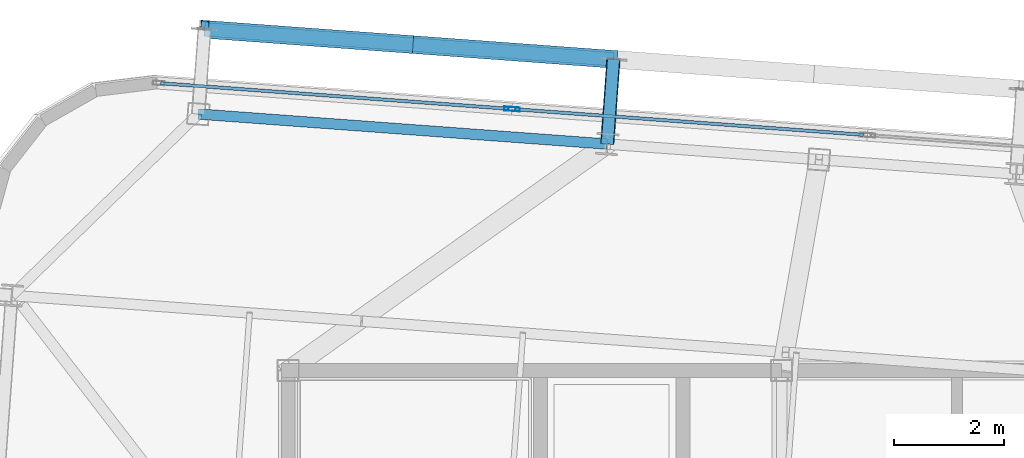
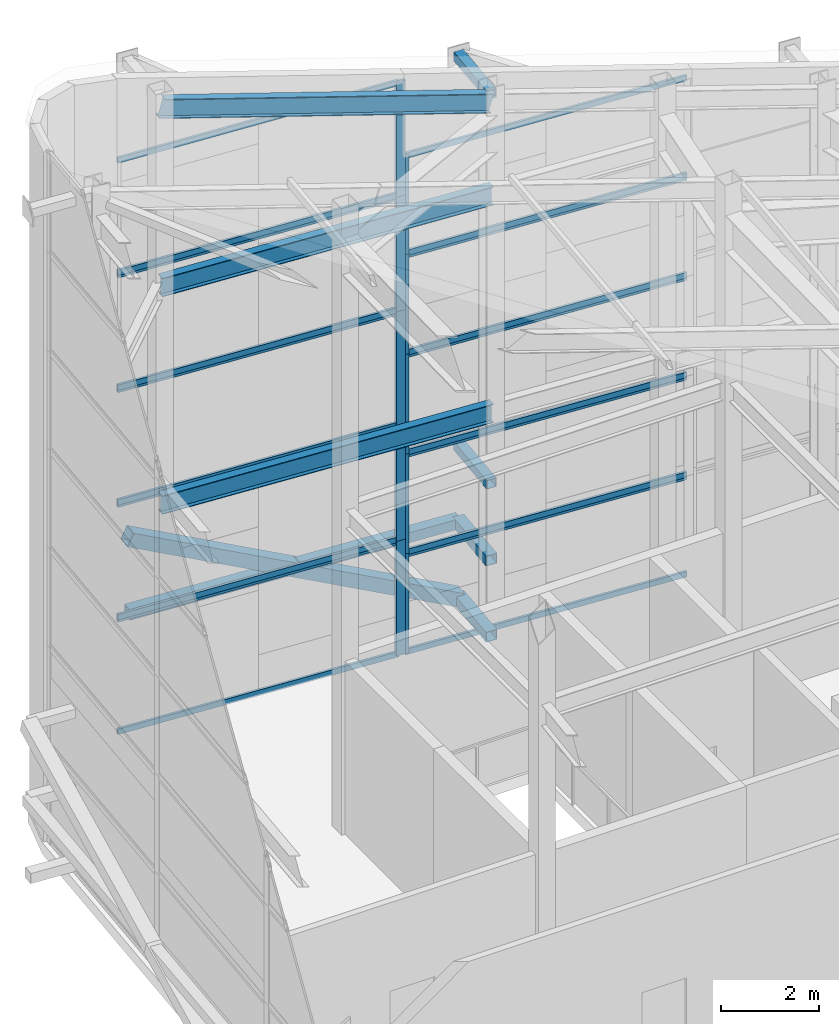
# One storey, part 27 of 56: 37 members, 3 beams, 10 elements without a shape of their own.
"""IFC4 building model written with IfcOpenShell, lengths in metres."""

import ifcopenshell
import ifcopenshell.guid

model = None  # the IFC model being written
_history = None  # IfcOwnerHistory: only IFC2X3 demands one
_inside = {}  # id of a spatial element -> (the spatial element, [elements in it])
_under = {}  # id of a project, library or spatial element -> (it, [spatial elements below it])
_declared = {}  # id of a project -> (the project, [libraries it declares])
_typed = {}  # id of a type object -> (the type object, [elements of that type])
_made_of = {}  # id of a material, layer set ... -> (it, [elements and type objects made of it])


def new_model(schema):
    """Start an empty IFC model of exactly this schema.

    Asked for "IFC4X3", IfcOpenShell would pick the latest addendum, in which some entities
    have other attributes; the version numbers below select the first issue.
    IFC2X3 requires an IfcOwnerHistory on every rooted entity: one is made here for all.
    """
    global model, _history
    if schema == "IFC4X3":
        model = ifcopenshell.file(schema_version=(4, 3, 0, 0))
    else:
        model = ifcopenshell.file(schema=schema)
    _inside.clear()
    _under.clear()
    _declared.clear()
    _typed.clear()
    _made_of.clear()
    _history = None
    if model.schema == "IFC2X3":
        org = make("IfcOrganization", Name="unknown")
        user = make(
            "IfcPersonAndOrganization",
            ThePerson=make("IfcPerson", FamilyName="unknown"),
            TheOrganization=org,
        )
        app = make(
            "IfcApplication",
            ApplicationDeveloper=org,
            Version="unknown",
            ApplicationFullName="unknown",
            ApplicationIdentifier="unknown",
        )
        _history = make(
            "IfcOwnerHistory",
            OwningUser=user,
            OwningApplication=app,
            ChangeAction="ADDED",
            CreationDate=0,
        )
    return model


def make(cls, **values):
    """One entity of the class cls with the attributes given. An attribute that is None is left unset."""
    return model.create_entity(
        cls, **{name: value for name, value in values.items() if value is not None}
    )


def rooted(cls, **values):
    """An entity with a GlobalId (a new one), such as an element, a storey or a relation."""
    return make(cls, GlobalId=ifcopenshell.guid.new(), OwnerHistory=_history, **values)


def si_unit(unit_type, name, prefix=None):
    """IfcSIUnit, for example si_unit("LENGTHUNIT", "METRE", prefix="MILLI")."""
    return make("IfcSIUnit", UnitType=unit_type, Prefix=prefix, Name=name)


def assignment(units):
    """IfcUnitAssignment: the units of a project."""
    return None if units is None else make("IfcUnitAssignment", Units=units)


def point(xyz):
    """IfcCartesianPoint."""
    return None if xyz is None else make("IfcCartesianPoint", Coordinates=xyz)


def direction(xyz):
    """IfcDirection."""
    return None if xyz is None else make("IfcDirection", DirectionRatios=xyz)


def frame(location, z_axis=None, x_axis=None):
    """IfcAxis2Placement3D, a coordinate frame: its origin and axes. An axis left out is left unset."""
    return make(
        "IfcAxis2Placement3D",
        Location=point(location),
        Axis=direction(z_axis),
        RefDirection=direction(x_axis),
    )


def frame_2d(location, x_axis=None):
    """IfcAxis2Placement2D, a coordinate frame in the plane: its origin and x axis."""
    return make(
        "IfcAxis2Placement2D", Location=point(location), RefDirection=direction(x_axis)
    )


def origin():
    """The frame at (0, 0, 0) with its axes left unset."""
    return frame((0.0, 0.0, 0.0))


def origin_2d():
    """The frame at (0, 0) in the plane with its x axis left unset."""
    return frame_2d((0.0, 0.0))


def place(relative_to, where):
    """IfcLocalPlacement: puts the frame where relative to a parent placement (None: the world)."""
    return make(
        "IfcLocalPlacement", PlacementRelTo=relative_to, RelativePlacement=where
    )


def context(
    kind, dimensions, precision=None, world=None, true_north=None, identifier=None
):
    """IfcGeometricRepresentationContext, for example the 3D "Model" context."""
    return make(
        "IfcGeometricRepresentationContext",
        ContextIdentifier=identifier,
        ContextType=kind,
        CoordinateSpaceDimension=dimensions,
        Precision=precision,
        WorldCoordinateSystem=world,
        TrueNorth=true_north,
    )


def subcontext(parent, identifier, kind, view, scale=None):
    """IfcGeometricRepresentationSubContext, for example "Body" below "Model"."""
    return make(
        "IfcGeometricRepresentationSubContext",
        ContextIdentifier=identifier,
        ContextType=kind,
        ParentContext=parent,
        TargetScale=scale,
        TargetView=view,
    )


def project(units=None, contexts=None):
    """IfcProject with its units and contexts."""
    return rooted(
        "IfcProject",
        Name="project",
        RepresentationContexts=contexts,
        UnitsInContext=assignment(units),
    )


def spatial(cls, under=None, at=None, **own):
    """A site, building, storey or space (cls), placed at a placement, below another one or the project."""
    s = rooted(cls, ObjectPlacement=at, **own)
    if under is not None:
        _under.setdefault(under.id(), (under, []))[1].append(s)
    return s


def profile(cls, at=None, kind="AREA", **sizes):
    """A parametric profile (cls). Its sizes go by their IFC names, for example OverallWidth=200.0."""
    return make(cls, ProfileType=kind, Position=at, **sizes)


def hollow_rectangle(**sizes):
    """IfcRectangleHollowProfileDef."""
    return profile("IfcRectangleHollowProfileDef", **sizes)


def i_section(**sizes):
    """IfcIShapeProfileDef."""
    return profile("IfcIShapeProfileDef", **sizes)


def extrude(swept, where, along, depth):
    """IfcExtrudedAreaSolid: the profile swept, set in the frame where, extruded along a direction by depth."""
    return make(
        "IfcExtrudedAreaSolid",
        SweptArea=swept,
        Position=where,
        ExtrudedDirection=direction(along),
        Depth=depth,
    )


def shape(context_of_items, identifier, shape_type, items):
    """IfcShapeRepresentation: the items that make up one representation, for example the "Body"."""
    return make(
        "IfcShapeRepresentation",
        ContextOfItems=context_of_items,
        RepresentationIdentifier=identifier,
        RepresentationType=shape_type,
        Items=items,
    )


def source(mapping_origin, context_of_items, identifier, shape_type, items):
    """IfcRepresentationMap: a shape defined once, which mapped items show again and again."""
    return make(
        "IfcRepresentationMap",
        MappingOrigin=mapping_origin,
        MappedRepresentation=shape(context_of_items, identifier, shape_type, items),
    )


def transform(
    local_origin,
    x_axis=None,
    y_axis=None,
    z_axis=None,
    scale=None,
    scale2=None,
    scale3=None,
    uniform=True,
):
    """IfcCartesianTransformationOperator3D, or its non-uniform kind. x_axis, y_axis, z_axis: its Axis1, 2, 3."""
    if uniform:
        return make(
            "IfcCartesianTransformationOperator3D",
            Axis1=direction(x_axis),
            Axis2=direction(y_axis),
            LocalOrigin=point(local_origin),
            Scale=scale,
            Axis3=direction(z_axis),
        )
    return make(
        "IfcCartesianTransformationOperator3DnonUniform",
        Axis1=direction(x_axis),
        Axis2=direction(y_axis),
        LocalOrigin=point(local_origin),
        Scale=scale,
        Axis3=direction(z_axis),
        Scale2=scale2,
        Scale3=scale3,
    )


def mapped(mapping_source, mapping_target):
    """IfcMappedItem: shows the shape of a source again, moved by a transform."""
    return make(
        "IfcMappedItem", MappingSource=mapping_source, MappingTarget=mapping_target
    )


def material(Name=None, Category=None):
    """IfcMaterial."""
    return make("IfcMaterial", Name=Name, Category=Category)


def layer(
    of_material, thickness, ventilated=None, Name=None, Category=None, Priority=None
):
    """IfcMaterialLayer: one layer of a wall or slab, of a material (None: an air gap)."""
    return make(
        "IfcMaterialLayer",
        Material=of_material,
        LayerThickness=thickness,
        IsVentilated=ventilated,
        Name=Name,
        Category=Category,
        Priority=Priority,
    )


def layer_set(layers, Name=None):
    """IfcMaterialLayerSet."""
    return make("IfcMaterialLayerSet", MaterialLayers=layers, LayerSetName=Name)


def material_profile(
    of_material, cross_section, Name=None, Category=None, Priority=None
):
    """IfcMaterialProfile: a cross section and its material."""
    return make(
        "IfcMaterialProfile",
        Name=Name,
        Material=of_material,
        Profile=cross_section,
        Priority=Priority,
        Category=Category,
    )


def profile_set(profiles, Name=None, composite=None):
    """IfcMaterialProfileSet."""
    return make(
        "IfcMaterialProfileSet",
        Name=Name,
        MaterialProfiles=profiles,
        CompositeProfile=composite,
    )


def made_of(thing, what):
    """Note that an element or type object is made of a material, layer set ...; save() writes the relation."""
    if what is not None:
        _made_of.setdefault(what.id(), (what, []))[1].append(thing)
    return thing


def type_object(cls, material=None, **own):
    """A type object (cls), such as IfcWallType, which elements share."""
    return made_of(rooted(cls, **own), material)


def element(
    cls,
    number,
    at=None,
    inside=None,
    cuts=None,
    type_object=None,
    material=None,
    context=None,
    identifier="Body",
    shape_type=None,
    held_by="IfcProductDefinitionShape",
    body=None,
    shapes=None,
    **own,
):
    """One element of the class cls, such as IfcWall. Its Tag is "e" and its number.

    at: its placement. inside: the storey or other place that contains it. cuts: it is an
    opening in that element (IfcRelVoidsElement). A single representation is given by context,
    identifier, shape_type and body (its items); several are given by shapes. held_by: the class
    of the entity that holds the representations. save() writes the other relations.
    """
    e = rooted(cls, Tag="e%d" % number, ObjectPlacement=at, **own)
    if body is not None:
        shapes = [shape(context, identifier, shape_type, body)]
    if shapes is not None:
        e.Representation = make(held_by, Representations=shapes)
    if inside is not None:
        _inside.setdefault(inside.id(), (inside, []))[1].append(e)
    if cuts is not None:
        rooted(
            "IfcRelVoidsElement", RelatingBuildingElement=cuts, RelatedOpeningElement=e
        )
    if type_object is not None:
        _typed.setdefault(type_object.id(), (type_object, []))[1].append(e)
    return made_of(e, material)


def aggregate(whole, parts):
    """IfcRelAggregates: a whole, such as a stair, and the parts it consists of."""
    return rooted("IfcRelAggregates", RelatingObject=whole, RelatedObjects=parts)


def save(model, path):
    """Write the relations noted so far, then the file.

    IfcRelAggregates (storeys below a building ...), IfcRelContainedInSpatialStructure (elements
    in a storey), IfcRelDefinesByType, IfcRelAssociatesMaterial and IfcRelDeclares: one each for
    every whole, place, type object, material and project.
    """
    for whole, parts in _under.values():
        aggregate(whole, parts)
    for where, things in _inside.values():
        rooted(
            "IfcRelContainedInSpatialStructure",
            RelatedElements=things,
            RelatingStructure=where,
        )
    for kind, things in _typed.values():
        rooted("IfcRelDefinesByType", RelatedObjects=things, RelatingType=kind)
    for what, things in _made_of.values():
        rooted("IfcRelAssociatesMaterial", RelatedObjects=things, RelatingMaterial=what)
    for by, libraries in _declared.values():
        rooted("IfcRelDeclares", RelatingContext=by, RelatedDefinitions=libraries)
    model.write(path)


model = new_model("IFC4")

# Units and contexts
model_context = context("Model", 3, precision=1e-05, world=origin(), true_north=direction((0.0, 1.0)))
body_context = subcontext(model_context, "Body", "Model", "MODEL_VIEW")
ifc_project = project(units=[si_unit("LENGTHUNIT", "METRE"), si_unit("AREAUNIT", "SQUARE_METRE"), si_unit("VOLUMEUNIT", "CUBIC_METRE"), si_unit("PLANEANGLEUNIT", "RADIAN"), si_unit("MASSUNIT", "GRAM", prefix="KILO")], contexts=[model_context])

# Site, building, storey
site_placement = place(None, origin())
site = spatial("IfcSite", under=ifc_project, at=site_placement, CompositionType="ELEMENT")
building_placement = place(site_placement, origin())
building = spatial("IfcBuilding", under=site, at=building_placement, Name="Taldren Reach Tower", CompositionType="ELEMENT")
storey_placement = place(building_placement, frame((0.0, 0.0, 253.050048828125)))
storey = spatial("IfcBuildingStorey", under=building, at=storey_placement, Name="L77", CompositionType="ELEMENT", Elevation=253.050048828125)

# Members
ifc_material_1 = material(Name="Steel Gr 350 (C350L0)", Category="steel")
ifc_material_profile_1 = material_profile(ifc_material_1, hollow_rectangle(XDim=0.25, YDim=0.25, WallThickness=0.010009765625, at=origin_2d()), Name="250x250x10.0SHS")
ifc_profile_set_1 = profile_set([ifc_material_profile_1], Name="Steel Gr 350 (C350L0)")
member_type_1 = type_object("IfcMemberType", Name="MB-POST250", PredefinedType="POST", material=ifc_profile_set_1)
shared_shape_1 = source(origin(), body_context, "Body", "SweptSolid", [
    extrude(hollow_rectangle(XDim=0.25, YDim=0.25, WallThickness=0.010009765625, at=origin_2d()), origin(), (0.0, 0.0, 1.0), 1.550048828125),
])
for number, where, z_axis, x_axis, name in (
    (1, (24.819580078125, 36.131103515625, 0.219970703125), (0.07323929162, 0.997314396849, 0.0), (-0.997314396849, 0.07323929162, 0.0), "Exoskeleton base diaphragm tie strut B5-N2 L77"),
    (2, (24.819580078125, 36.131103515625, 2.10986328125), (0.07323929162, 0.997314396849, 0.0), (-0.997314396849, 0.07323929162, 0.0), "Exoskeleton mid-tier diaphragm tie B5-N2 L77"),
):
    element("IfcMember", number, at=place(storey_placement, frame(where, z_axis=z_axis, x_axis=x_axis)), inside=storey, type_object=member_type_1, Name=name, PredefinedType="POST", context=body_context, shape_type="MappedRepresentation", body=[
        mapped(shared_shape_1, transform((0.0, 0.0, 0.0), scale=1.0)),
    ])
ifc_material_2 = material(Name="Steel Gr 450 (C450L0)", Category="steel")
ifc_material_profile_2 = material_profile(ifc_material_2, hollow_rectangle(XDim=0.219970703125, YDim=0.219970703125, WallThickness=0.00830078125, at=origin_2d()), Name="220x220x8.2SHS")
ifc_profile_set_2 = profile_set([ifc_material_profile_2], Name="Steel Gr 450 (C450L0)")
member_type_2 = type_object("IfcMemberType", Name="MB-TIE219", PredefinedType="STRUT", material=ifc_profile_set_2)
shared_shape_2 = source(origin(), body_context, "Body", "SweptSolid", [
    extrude(hollow_rectangle(XDim=0.219970703125, YDim=0.219970703125, WallThickness=0.00830078125, at=origin_2d()), origin(), (0.0, 0.0, 1.0), 1.550048828125),
])
for number, where, z_axis, x_axis, name in (
    (3, (24.819580078125, 36.131103515625, 13.666259765625), (0.07323929162, 0.997314396849, 0.0), (-0.997314396849, 0.07323929162, 0.0), "Exoskeleton diaphragm tie strut B5-N2 L77"),
    (4, (24.819580078125, 36.131103515625, 4.0), (0.07323929162, 0.997314396849, 0.0), (-0.997314396849, 0.07323929162, 0.0), "Crown exoskeleton mid-tier tie strut B5-N2"),
):
    element("IfcMember", number, at=place(storey_placement, frame(where, z_axis=z_axis, x_axis=x_axis)), inside=storey, type_object=member_type_2, Name=name, PredefinedType="STRUT", context=body_context, shape_type="MappedRepresentation", body=[
        mapped(shared_shape_2, transform((0.0, 0.0, 0.0), scale=1.0)),
    ])
shared_shape_3 = source(origin(), body_context, "Body", "SweptSolid", [
    extrude(hollow_rectangle(XDim=0.25, YDim=0.25, WallThickness=0.010009765625, at=origin_2d()), origin(), (0.0, 0.0, 1.0), 7.479736328125),
])
member_1_placement = place(storey_placement, frame((17.473388671875, 38.224609375, 2.10986328125), z_axis=(0.997316429287, -0.07321161024, 0.0), x_axis=(0.07321161024, 0.997316429287, 0.0)))
element("IfcMember", 5, at=member_1_placement, inside=storey, type_object=member_type_1, Name="Exoskeleton mid-height ring chord B5-N1 L77", PredefinedType="POST", context=body_context, shape_type="MappedRepresentation", body=[
    mapped(shared_shape_3, transform((0.0, 0.0, 0.0), scale=1.0)),
])

# Beams
ifc_material_3 = material(Name="Steel Gr 350 (350PLUS)", Category="steel")
ifc_material_profile_3 = material_profile(ifc_material_3, i_section(OverallWidth=0.19091796875, OverallDepth=0.4599609375, WebThickness=0.010009765625, FlangeThickness=0.01611328125, at=origin_2d()), Name="460UB82.1")
ifc_profile_set_3 = profile_set([ifc_material_profile_3], Name="Steel Gr 350 (350PLUS)")
beam_type = type_object("IfcBeamType", Name="BM-UB460A", PredefinedType="BEAM", material=ifc_profile_set_3)
shared_shape_4 = source(origin(), body_context, "Body", "SweptSolid", [
    extrude(i_section(OverallWidth=0.19091796875, OverallDepth=0.4599609375, WebThickness=0.010009765625, FlangeThickness=0.01611328125, at=origin_2d()), origin(), (0.0, 0.0, 1.0), 7.781005859375),
])
beam_placement = place(storey_placement, frame((17.35986328125, 36.678955078125, 15.63623046875), z_axis=(0.958697213773, -0.070408003525, -0.275576423779), x_axis=(0.073244075215, 0.997314045547, 0.0)))
element("IfcBeam", 6, at=beam_placement, inside=storey, type_object=beam_type, Name="Crown sloped perimeter rake girder N1", PredefinedType="BEAM", context=body_context, shape_type="MappedRepresentation", body=[
    mapped(shared_shape_4, transform((0.0, 0.0, 0.0), scale=1.0)),
])
shared_shape_5 = source(origin(), body_context, "Body", "SweptSolid", [
    extrude(i_section(OverallWidth=0.19091796875, OverallDepth=0.4599609375, WebThickness=0.010009765625, FlangeThickness=0.01611328125, at=origin_2d()), origin(), (0.0, 0.0, 1.0), 7.479736328125),
])
for number, where, z_axis, x_axis, name in (
    (7, (24.819580078125, 36.131103515625, 5.800048828125), (-0.997314045547, 0.073244075215, 0.0), (-0.073244075215, -0.997314045547, 0.0), "Crown perimeter wind girt LO N2-N1"),
    (8, (24.819580078125, 36.131103515625, 11.199951171875), (-0.997314045547, 0.073244075215, 0.0), (-0.073244075215, -0.997314045547, 0.0), "Crown perimeter wind girt HI N2-N1"),
):
    element("IfcBeam", number, at=place(storey_placement, frame(where, z_axis=z_axis, x_axis=x_axis)), inside=storey, type_object=beam_type, Name=name, PredefinedType="BEAM", context=body_context, shape_type="MappedRepresentation", body=[
        mapped(shared_shape_5, transform((0.0, 0.0, 0.0), scale=1.0)),
    ])

# Members
ifc_material_profile_4 = material_profile(ifc_material_2, hollow_rectangle(XDim=0.324951171875, YDim=0.324951171875, WallThickness=0.0126953125, at=origin_2d()), Name="325x325x12.7SHS")
ifc_profile_set_4 = profile_set([ifc_material_profile_4], Name="Steel Gr 450 (C450L0)")
member_type_3 = type_object("IfcMemberType", Name="MB-BR324", PredefinedType="BRACE", material=ifc_profile_set_4)
shared_shape_6 = source(origin(), body_context, "Body", "SweptSolid", [
    extrude(hollow_rectangle(XDim=0.324951171875, YDim=0.324951171875, WallThickness=0.0126953125, at=origin_2d()), origin(), (0.0, 0.0, 1.0), 4.1904296875),
])
member_2_placement = place(storey_placement, frame((21.203369140625, 37.95068359375, 2.10986328125), z_axis=(-0.890100973194, 0.065368064663, 0.451051298237), x_axis=(-0.07324169103, -0.997314220642, 0.0)))
element("IfcMember", 9, at=member_2_placement, inside=storey, type_object=member_type_3, Name="Exoskeleton Diagrid Brace B5-N1 L77", PredefinedType="BRACE", context=body_context, shape_type="MappedRepresentation", body=[
    mapped(shared_shape_6, transform((0.0, 0.0, 0.0), scale=1.0)),
])
shared_shape_7 = source(origin(), body_context, "Body", "SweptSolid", [
    extrude(hollow_rectangle(XDim=0.324951171875, YDim=0.324951171875, WallThickness=0.0126953125, at=origin_2d()), origin(), (0.0, 0.0, 1.0), 4.190185546875),
])
member_3_placement = place(storey_placement, frame((24.93310546875, 37.677001953125, 0.219970703125), z_axis=(-0.890115651253, 0.065315156448, 0.451029996488), x_axis=(-0.073181527281, -0.997318637179, 0.0)))
element("IfcMember", 10, at=member_3_placement, inside=storey, type_object=member_type_3, Name="Exoskeleton Diagrid Brace B5-N1 L77", PredefinedType="BRACE", context=body_context, shape_type="MappedRepresentation", body=[
    mapped(shared_shape_7, transform((0.0, 0.0, 0.0), scale=1.0)),
])

# Curtain wall, member
ifc_material_4 = material(Name="Aluminium and Low-E Glass Unitised System", Category="aluminium")
ifc_layer = layer(ifc_material_4, 0.159912109375)
ifc_layer_set = layer_set([ifc_layer], Name="Aluminium and Low-E Glass Unitised System")
curtain_wall_type = type_object("IfcCurtainWallType", Name="CW-SYS-8", PredefinedType="NOTDEFINED", material=ifc_layer_set)
curtain_wall_1_placement = place(storey_placement, origin())
curtain_wall_1 = element("IfcCurtainWall", 11, at=curtain_wall_1_placement, inside=storey, type_object=curtain_wall_type, Name="Unitised curtain wall CW8-L77-N1", PredefinedType="NOTDEFINED")
ifc_material_5 = material(Name="Anodised Aluminium 6063-T6", Category="aluminium")
ifc_material_profile_5 = material_profile(ifc_material_5, hollow_rectangle(XDim=0.074951171875, YDim=0.2099609375, WallThickness=0.00439453125, at=origin_2d()), Name="ALU-210x75x4.5RHS")
ifc_profile_set_5 = profile_set([ifc_material_profile_5], Name="Anodised Aluminium 6063-T6")
member_type_4 = type_object("IfcMemberType", Name="CW-MUL-200", PredefinedType="MULLION", material=ifc_profile_set_5)
shared_shape_8 = source(origin(), body_context, "Body", "SweptSolid", [
    extrude(hollow_rectangle(XDim=0.074951171875, YDim=0.2099609375, WallThickness=0.00439453125, at=origin_2d()), origin(), (0.0, 0.0, 1.0), 2.848388671875),
])
member_4_placement = place(storey_placement, frame((23.04443359375, 36.772705078125, 0.0), z_axis=(0.0, 0.0, 1.0), x_axis=(0.073238506213, 0.997314454527, 0.0)))
member_4 = element("IfcMember", 12, at=member_4_placement, type_object=member_type_4, Name="CW-8 mullion 2", PredefinedType="MULLION", context=body_context, shape_type="MappedRepresentation", body=[
    mapped(shared_shape_8, transform((0.0, 0.0, 0.0), scale=1.0)),
])

curtain_wall_2_placement = place(storey_placement, origin())
curtain_wall_2 = element("IfcCurtainWall", 13, at=curtain_wall_2_placement, inside=storey, type_object=curtain_wall_type, Name="Unitised curtain wall CW8-L77-N1-T3", PredefinedType="NOTDEFINED")
member_5_placement = place(storey_placement, frame((23.04443359375, 36.772705078125, 5.696533203125), z_axis=(0.0, 0.0, 1.0), x_axis=(0.073238506213, 0.997314454527, 0.0)))
member_5 = element("IfcMember", 14, at=member_5_placement, type_object=member_type_4, Name="CW-8 mullion 2", PredefinedType="MULLION", context=body_context, shape_type="MappedRepresentation", body=[
    mapped(shared_shape_8, transform((0.0, 0.0, 0.0), scale=1.0)),
])

curtain_wall_3_placement = place(storey_placement, origin())
curtain_wall_3 = element("IfcCurtainWall", 15, at=curtain_wall_3_placement, inside=storey, type_object=curtain_wall_type, Name="Unitised curtain wall CW8-L77-N1-T4", PredefinedType="NOTDEFINED")
member_6_placement = place(storey_placement, frame((23.04443359375, 36.772705078125, 8.544921875), z_axis=(0.0, 0.0, 1.0), x_axis=(0.073238506213, 0.997314454527, 0.0)))
member_6 = element("IfcMember", 16, at=member_6_placement, type_object=member_type_4, Name="CW-8 mullion 2", PredefinedType="MULLION", context=body_context, shape_type="MappedRepresentation", body=[
    mapped(shared_shape_8, transform((0.0, 0.0, 0.0), scale=1.0)),
])

# Curtain wall, members
curtain_wall_4_placement = place(storey_placement, origin())
curtain_wall_4 = element("IfcCurtainWall", 17, at=curtain_wall_4_placement, inside=storey, type_object=curtain_wall_type, Name="Unitised curtain wall CW8-L77-N2", PredefinedType="NOTDEFINED")
ifc_material_profile_6 = material_profile(ifc_material_5, hollow_rectangle(XDim=0.06005859375, YDim=0.135009765625, WallThickness=0.00341796875, at=origin_2d()), Name="ALU-135x60x3.5RHS")
ifc_profile_set_6 = profile_set([ifc_material_profile_6], Name="Anodised Aluminium 6063-T6")
member_type_5 = type_object("IfcMemberType", Name="CW-TRN-150", PredefinedType="USERDEFINED", material=ifc_profile_set_6)
shared_shape_9 = source(origin(), body_context, "Body", "SweptSolid", [
    extrude(hollow_rectangle(XDim=0.06005859375, YDim=0.135009765625, WallThickness=0.00341796875, at=origin_2d()), origin(), (0.0, 0.0, 1.0), 6.349853515625),
])
member_7_placement = place(storey_placement, frame((23.15673828125, 36.7646484375, 0.030029296875), z_axis=(0.997314030932, -0.073244274217, 0.0), x_axis=(0.073244274217, 0.997314030932, 0.0)))
member_7 = element("IfcMember", 18, at=member_7_placement, type_object=member_type_5, Name="CW-8 transom 1.1", ObjectType="TRANSOM", PredefinedType="USERDEFINED", context=body_context, shape_type="MappedRepresentation", body=[
    mapped(shared_shape_9, transform((0.0, 0.0, 0.0), scale=1.0)),
])
member_8_placement = place(storey_placement, frame((23.15673828125, 36.7646484375, 2.445556640625), z_axis=(0.997314030932, -0.073244274217, 0.0), x_axis=(0.073244274217, 0.997314030932, 0.0)))
member_8 = element("IfcMember", 19, at=member_8_placement, type_object=member_type_5, Name="CW-8 transom 1.2", ObjectType="TRANSOM", PredefinedType="USERDEFINED", context=body_context, shape_type="MappedRepresentation", body=[
    mapped(shared_shape_9, transform((0.0, 0.0, 0.0), scale=1.0)),
])

curtain_wall_5_placement = place(storey_placement, origin())
curtain_wall_5 = element("IfcCurtainWall", 20, at=curtain_wall_5_placement, inside=storey, type_object=curtain_wall_type, Name="Unitised curtain wall CW8-L77-N2-T2", PredefinedType="NOTDEFINED")
member_9_placement = place(storey_placement, frame((23.15673828125, 36.7646484375, 2.505615234375), z_axis=(0.997314030932, -0.073244274217, 0.0), x_axis=(0.073244274217, 0.997314030932, 0.0)))
member_9 = element("IfcMember", 21, at=member_9_placement, type_object=member_type_5, Name="CW-8 transom 1.1", ObjectType="TRANSOM", PredefinedType="USERDEFINED", context=body_context, shape_type="MappedRepresentation", body=[
    mapped(shared_shape_9, transform((0.0, 0.0, 0.0), scale=1.0)),
])
member_10_placement = place(storey_placement, frame((23.15673828125, 36.7646484375, 4.92138671875), z_axis=(0.997314030932, -0.073244274217, 0.0), x_axis=(0.073244274217, 0.997314030932, 0.0)))
member_10 = element("IfcMember", 22, at=member_10_placement, type_object=member_type_5, Name="CW-8 transom 1.2", ObjectType="TRANSOM", PredefinedType="USERDEFINED", context=body_context, shape_type="MappedRepresentation", body=[
    mapped(shared_shape_9, transform((0.0, 0.0, 0.0), scale=1.0)),
])

curtain_wall_6_placement = place(storey_placement, origin())
curtain_wall_6 = element("IfcCurtainWall", 23, at=curtain_wall_6_placement, inside=storey, type_object=curtain_wall_type, Name="Unitised curtain wall CW8-L77-N2-T3", PredefinedType="NOTDEFINED")
member_11_placement = place(storey_placement, frame((23.15673828125, 36.7646484375, 4.981201171875), z_axis=(0.997314030932, -0.073244274217, 0.0), x_axis=(0.073244274217, 0.997314030932, 0.0)))
member_11 = element("IfcMember", 24, at=member_11_placement, type_object=member_type_5, Name="CW-8 transom 1.1", ObjectType="TRANSOM", PredefinedType="USERDEFINED", context=body_context, shape_type="MappedRepresentation", body=[
    mapped(shared_shape_9, transform((0.0, 0.0, 0.0), scale=1.0)),
])
member_12_placement = place(storey_placement, frame((23.15673828125, 36.7646484375, 7.39697265625), z_axis=(0.997314030932, -0.073244274217, 0.0), x_axis=(0.073244274217, 0.997314030932, 0.0)))
member_12 = element("IfcMember", 25, at=member_12_placement, type_object=member_type_5, Name="CW-8 transom 1.2", ObjectType="TRANSOM", PredefinedType="USERDEFINED", context=body_context, shape_type="MappedRepresentation", body=[
    mapped(shared_shape_9, transform((0.0, 0.0, 0.0), scale=1.0)),
])

curtain_wall_7_placement = place(storey_placement, origin())
curtain_wall_7 = element("IfcCurtainWall", 26, at=curtain_wall_7_placement, inside=storey, type_object=curtain_wall_type, Name="Unitised curtain wall CW8-L77-N2-T4", PredefinedType="NOTDEFINED")
member_13_placement = place(storey_placement, frame((23.15673828125, 36.7646484375, 7.45703125), z_axis=(0.997314030932, -0.073244274217, 0.0), x_axis=(0.073244274217, 0.997314030932, 0.0)))
member_13 = element("IfcMember", 27, at=member_13_placement, type_object=member_type_5, Name="CW-8 transom 1.1", ObjectType="TRANSOM", PredefinedType="USERDEFINED", context=body_context, shape_type="MappedRepresentation", body=[
    mapped(shared_shape_9, transform((0.0, 0.0, 0.0), scale=1.0)),
])
member_14_placement = place(storey_placement, frame((23.15673828125, 36.7646484375, 9.87255859375), z_axis=(0.997314030932, -0.073244274217, 0.0), x_axis=(0.073244274217, 0.997314030932, 0.0)))
member_14 = element("IfcMember", 28, at=member_14_placement, type_object=member_type_5, Name="CW-8 transom 1.2", ObjectType="TRANSOM", PredefinedType="USERDEFINED", context=body_context, shape_type="MappedRepresentation", body=[
    mapped(shared_shape_9, transform((0.0, 0.0, 0.0), scale=1.0)),
])

curtain_wall_8_placement = place(storey_placement, origin())
curtain_wall_8 = element("IfcCurtainWall", 29, at=curtain_wall_8_placement, inside=storey, type_object=curtain_wall_type, Name="Unitised curtain wall CW8-L77-N2-T5", PredefinedType="NOTDEFINED")
member_15_placement = place(storey_placement, frame((23.15673828125, 36.7646484375, 9.9326171875), z_axis=(0.997314030932, -0.073244274217, 0.0), x_axis=(0.073244274217, 0.997314030932, 0.0)))
member_15 = element("IfcMember", 30, at=member_15_placement, type_object=member_type_5, Name="CW-8 transom 1.1", ObjectType="TRANSOM", PredefinedType="USERDEFINED", context=body_context, shape_type="MappedRepresentation", body=[
    mapped(shared_shape_9, transform((0.0, 0.0, 0.0), scale=1.0)),
])
member_16_placement = place(storey_placement, frame((23.15673828125, 36.7646484375, 12.34814453125), z_axis=(0.997314030932, -0.073244274217, 0.0), x_axis=(0.073244274217, 0.997314030932, 0.0)))
member_16 = element("IfcMember", 31, at=member_16_placement, type_object=member_type_5, Name="CW-8 transom 1.2", ObjectType="TRANSOM", PredefinedType="USERDEFINED", context=body_context, shape_type="MappedRepresentation", body=[
    mapped(shared_shape_9, transform((0.0, 0.0, 0.0), scale=1.0)),
])

# Curtain wall, member
curtain_wall_9_placement = place(storey_placement, origin())
curtain_wall_9 = element("IfcCurtainWall", 32, at=curtain_wall_9_placement, inside=storey, type_object=curtain_wall_type, Name="Unitised curtain wall CW8-L77-N1-T2", PredefinedType="NOTDEFINED")
shared_shape_10 = source(origin(), body_context, "Body", "SweptSolid", [
    extrude(hollow_rectangle(XDim=0.074951171875, YDim=0.2099609375, WallThickness=0.00439453125, at=origin_2d()), origin(), (0.0, 0.0, 1.0), 2.84814453125),
])
member_17_placement = place(storey_placement, frame((23.04443359375, 36.772705078125, 2.848388671875), z_axis=(0.0, 0.0, 1.0), x_axis=(0.073238506213, 0.997314454527, 0.0)))
member_17 = element("IfcMember", 33, at=member_17_placement, type_object=member_type_4, Name="CW-8 mullion 2", PredefinedType="MULLION", context=body_context, shape_type="MappedRepresentation", body=[
    mapped(shared_shape_10, transform((0.0, 0.0, 0.0), scale=1.0)),
])

curtain_wall_10_placement = place(storey_placement, origin())
curtain_wall_10 = element("IfcCurtainWall", 34, at=curtain_wall_10_placement, inside=storey, type_object=curtain_wall_type, Name="Unitised curtain wall CW8-L77-N1-T5", PredefinedType="NOTDEFINED")
member_18_placement = place(storey_placement, frame((23.04443359375, 36.772705078125, 11.393310546875), z_axis=(0.0, 0.0, 1.0), x_axis=(0.073238506213, 0.997314454527, 0.0)))
member_18 = element("IfcMember", 35, at=member_18_placement, type_object=member_type_4, Name="CW-8 mullion 2", PredefinedType="MULLION", context=body_context, shape_type="MappedRepresentation", body=[
    mapped(shared_shape_10, transform((0.0, 0.0, 0.0), scale=1.0)),
])

# Member
shared_shape_11 = source(origin(), body_context, "Body", "SweptSolid", [
    extrude(hollow_rectangle(XDim=0.074951171875, YDim=0.2099609375, WallThickness=0.00439453125, at=origin_2d()), origin(), (0.0, 0.0, 1.0), 2.4755859375),
])
member_19_placement = place(storey_placement, frame((23.119140625, 36.767333984375, 0.0), z_axis=(0.0, 0.0, 1.0), x_axis=(0.073238393838, 0.997314462779, 0.0)))
member_19 = element("IfcMember", 36, at=member_19_placement, type_object=member_type_4, Name="CW-8 mullion 1", PredefinedType="MULLION", context=body_context, shape_type="MappedRepresentation", body=[
    mapped(shared_shape_11, transform((0.0, 0.0, 0.0), scale=1.0)),
])

aggregate(curtain_wall_4, [member_19, member_7, member_8])

member_20_placement = place(storey_placement, frame((23.119140625, 36.767333984375, 2.4755859375), z_axis=(0.0, 0.0, 1.0), x_axis=(0.073238393838, 0.997314462779, 0.0)))
member_20 = element("IfcMember", 37, at=member_20_placement, type_object=member_type_4, Name="CW-8 mullion 1", PredefinedType="MULLION", context=body_context, shape_type="MappedRepresentation", body=[
    mapped(shared_shape_11, transform((0.0, 0.0, 0.0), scale=1.0)),
])

aggregate(curtain_wall_5, [member_20, member_9, member_10])

member_21_placement = place(storey_placement, frame((23.119140625, 36.767333984375, 7.427001953125), z_axis=(0.0, 0.0, 1.0), x_axis=(0.073238393838, 0.997314462779, 0.0)))
member_21 = element("IfcMember", 38, at=member_21_placement, type_object=member_type_4, Name="CW-8 mullion 1", PredefinedType="MULLION", context=body_context, shape_type="MappedRepresentation", body=[
    mapped(shared_shape_11, transform((0.0, 0.0, 0.0), scale=1.0)),
])

aggregate(curtain_wall_7, [member_21, member_13, member_14])

member_22_placement = place(storey_placement, frame((23.119140625, 36.767333984375, 9.902587890625), z_axis=(0.0, 0.0, 1.0), x_axis=(0.073238393838, 0.997314462779, 0.0)))
member_22 = element("IfcMember", 39, at=member_22_placement, type_object=member_type_4, Name="CW-8 mullion 1", PredefinedType="MULLION", context=body_context, shape_type="MappedRepresentation", body=[
    mapped(shared_shape_11, transform((0.0, 0.0, 0.0), scale=1.0)),
])

aggregate(curtain_wall_8, [member_22, member_15, member_16])

shared_shape_12 = source(origin(), body_context, "Body", "SweptSolid", [
    extrude(hollow_rectangle(XDim=0.06005859375, YDim=0.135009765625, WallThickness=0.00341796875, at=origin_2d()), origin(), (0.0, 0.0, 1.0), 6.35009765625),
])
member_23_placement = place(storey_placement, frame((16.674072265625, 37.240478515625, 0.030029296875), z_axis=(0.99731704481, -0.073203224877, 0.0), x_axis=(0.073203224877, 0.99731704481, 0.0)))
member_23 = element("IfcMember", 40, at=member_23_placement, type_object=member_type_5, Name="CW-8 transom 1.1", ObjectType="TRANSOM", PredefinedType="USERDEFINED", context=body_context, shape_type="MappedRepresentation", body=[
    mapped(shared_shape_12, transform((0.0, 0.0, 0.0), scale=1.0)),
])

member_24_placement = place(storey_placement, frame((16.674072265625, 37.240478515625, 2.818359375), z_axis=(0.99731704481, -0.073203224877, 0.0), x_axis=(0.073203224877, 0.99731704481, 0.0)))
member_24 = element("IfcMember", 41, at=member_24_placement, type_object=member_type_5, Name="CW-8 transom 1.2", ObjectType="TRANSOM", PredefinedType="USERDEFINED", context=body_context, shape_type="MappedRepresentation", body=[
    mapped(shared_shape_12, transform((0.0, 0.0, 0.0), scale=1.0)),
])

aggregate(curtain_wall_1, [member_4, member_23, member_24])

member_25_placement = place(storey_placement, frame((16.674072265625, 37.240478515625, 2.878173828125), z_axis=(0.99731704481, -0.073203224877, 0.0), x_axis=(0.073203224877, 0.99731704481, 0.0)))
member_25 = element("IfcMember", 42, at=member_25_placement, type_object=member_type_5, Name="CW-8 transom 1.1", ObjectType="TRANSOM", PredefinedType="USERDEFINED", context=body_context, shape_type="MappedRepresentation", body=[
    mapped(shared_shape_12, transform((0.0, 0.0, 0.0), scale=1.0)),
])

member_26_placement = place(storey_placement, frame((16.674072265625, 37.240478515625, 5.66650390625), z_axis=(0.99731704481, -0.073203224877, 0.0), x_axis=(0.073203224877, 0.99731704481, 0.0)))
member_26 = element("IfcMember", 43, at=member_26_placement, type_object=member_type_5, Name="CW-8 transom 1.2", ObjectType="TRANSOM", PredefinedType="USERDEFINED", context=body_context, shape_type="MappedRepresentation", body=[
    mapped(shared_shape_12, transform((0.0, 0.0, 0.0), scale=1.0)),
])

aggregate(curtain_wall_9, [member_17, member_25, member_26])

member_27_placement = place(storey_placement, frame((16.674072265625, 37.240478515625, 5.7265625), z_axis=(0.99731704481, -0.073203224877, 0.0), x_axis=(0.073203224877, 0.99731704481, 0.0)))
member_27 = element("IfcMember", 44, at=member_27_placement, type_object=member_type_5, Name="CW-8 transom 1.1", ObjectType="TRANSOM", PredefinedType="USERDEFINED", context=body_context, shape_type="MappedRepresentation", body=[
    mapped(shared_shape_12, transform((0.0, 0.0, 0.0), scale=1.0)),
])

member_28_placement = place(storey_placement, frame((16.674072265625, 37.240478515625, 8.514892578125), z_axis=(0.99731704481, -0.073203224877, 0.0), x_axis=(0.073203224877, 0.99731704481, 0.0)))
member_28 = element("IfcMember", 45, at=member_28_placement, type_object=member_type_5, Name="CW-8 transom 1.2", ObjectType="TRANSOM", PredefinedType="USERDEFINED", context=body_context, shape_type="MappedRepresentation", body=[
    mapped(shared_shape_12, transform((0.0, 0.0, 0.0), scale=1.0)),
])

aggregate(curtain_wall_2, [member_5, member_27, member_28])

member_29_placement = place(storey_placement, frame((16.674072265625, 37.240478515625, 8.574951171875), z_axis=(0.99731704481, -0.073203224877, 0.0), x_axis=(0.073203224877, 0.99731704481, 0.0)))
member_29 = element("IfcMember", 46, at=member_29_placement, type_object=member_type_5, Name="CW-8 transom 1.1", ObjectType="TRANSOM", PredefinedType="USERDEFINED", context=body_context, shape_type="MappedRepresentation", body=[
    mapped(shared_shape_12, transform((0.0, 0.0, 0.0), scale=1.0)),
])

member_30_placement = place(storey_placement, frame((16.674072265625, 37.240478515625, 11.36328125), z_axis=(0.99731704481, -0.073203224877, 0.0), x_axis=(0.073203224877, 0.99731704481, 0.0)))
member_30 = element("IfcMember", 47, at=member_30_placement, type_object=member_type_5, Name="CW-8 transom 1.2", ObjectType="TRANSOM", PredefinedType="USERDEFINED", context=body_context, shape_type="MappedRepresentation", body=[
    mapped(shared_shape_12, transform((0.0, 0.0, 0.0), scale=1.0)),
])

aggregate(curtain_wall_3, [member_6, member_29, member_30])

member_31_placement = place(storey_placement, frame((16.674072265625, 37.240478515625, 11.42333984375), z_axis=(0.99731704481, -0.073203224877, 0.0), x_axis=(0.073203224877, 0.99731704481, 0.0)))
member_31 = element("IfcMember", 48, at=member_31_placement, type_object=member_type_5, Name="CW-8 transom 1.1", ObjectType="TRANSOM", PredefinedType="USERDEFINED", context=body_context, shape_type="MappedRepresentation", body=[
    mapped(shared_shape_12, transform((0.0, 0.0, 0.0), scale=1.0)),
])

member_32_placement = place(storey_placement, frame((16.674072265625, 37.240478515625, 14.211669921875), z_axis=(0.99731704481, -0.073203224877, 0.0), x_axis=(0.073203224877, 0.99731704481, 0.0)))
member_32 = element("IfcMember", 49, at=member_32_placement, type_object=member_type_5, Name="CW-8 transom 1.2", ObjectType="TRANSOM", PredefinedType="USERDEFINED", context=body_context, shape_type="MappedRepresentation", body=[
    mapped(shared_shape_12, transform((0.0, 0.0, 0.0), scale=1.0)),
])

aggregate(curtain_wall_10, [member_18, member_31, member_32])

shared_shape_13 = source(origin(), body_context, "Body", "SweptSolid", [
    extrude(hollow_rectangle(XDim=0.074951171875, YDim=0.2099609375, WallThickness=0.00439453125, at=origin_2d()), origin(), (0.0, 0.0, 1.0), 2.475830078125),
])
member_33_placement = place(storey_placement, frame((23.119140625, 36.767333984375, 4.951171875), z_axis=(0.0, 0.0, 1.0), x_axis=(0.073238393838, 0.997314462779, 0.0)))
member_33 = element("IfcMember", 50, at=member_33_placement, type_object=member_type_4, Name="CW-8 mullion 1", PredefinedType="MULLION", context=body_context, shape_type="MappedRepresentation", body=[
    mapped(shared_shape_13, transform((0.0, 0.0, 0.0), scale=1.0)),
])

aggregate(curtain_wall_6, [member_33, member_11, member_12])

save(model, "model.ifc")
